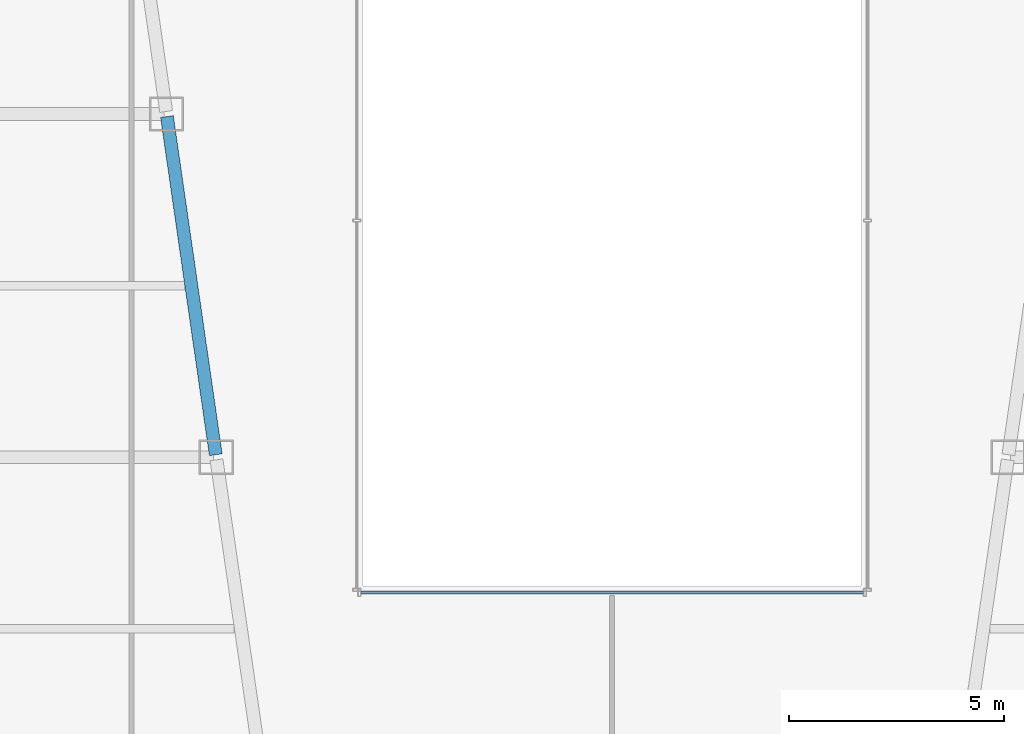
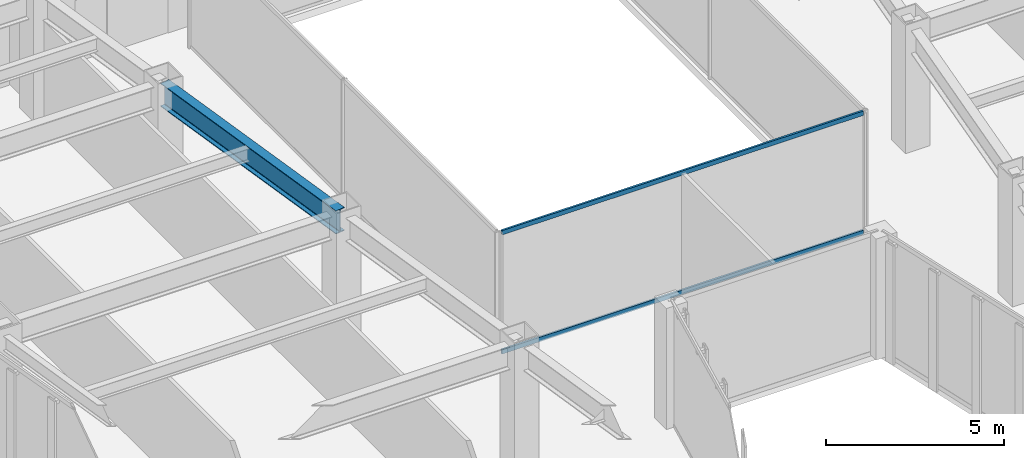
# One storey, part 13 of 47: 2 members, 1 beam, 1 element without a shape of its own.
"""IFC4 building model written with IfcOpenShell, lengths in metres."""

from ifc_helpers import new_model, si_unit, direction, frame, origin, origin_2d, place, context, subcontext, project, spatial, hollow_rectangle, i_section, extrude, material, material_profile, profile_set, type_object, element, aggregate, save


model = new_model("IFC4")

# Units and contexts
model_context = context("Model", 3, precision=1e-05, world=origin(), true_north=direction((0.0, 1.0)))
body_context = subcontext(model_context, "Body", "Model", "MODEL_VIEW")
ifc_project = project(units=[si_unit("LENGTHUNIT", "METRE"), si_unit("AREAUNIT", "SQUARE_METRE"), si_unit("VOLUMEUNIT", "CUBIC_METRE"), si_unit("PLANEANGLEUNIT", "RADIAN"), si_unit("MASSUNIT", "GRAM", prefix="KILO")], contexts=[model_context])

# Site, building, storey
site_placement = place(None, origin())
site = spatial("IfcSite", under=ifc_project, at=site_placement, CompositionType="ELEMENT")
building_placement = place(site_placement, origin())
building = spatial("IfcBuilding", under=site, at=building_placement, Name="Saevonmaru Cultural Tower", CompositionType="ELEMENT")
storey_placement = place(building_placement, frame((0.0, 0.0, 47.199951171875)))
storey = spatial("IfcBuildingStorey", under=building, at=storey_placement, Name="L09", CompositionType="ELEMENT", Elevation=47.199951171875)

# Beam
ifc_material_1 = material(Name="Steel SM420", Category="steel")
ifc_material_profile_1 = material_profile(ifc_material_1, i_section(OverallWidth=0.300048828125, OverallDepth=0.800048828125, WebThickness=0.013916015625, FlangeThickness=0.02587890625, FilletRadius=0.028076171875, at=origin_2d()), Name="H-800x300x14x26")
ifc_profile_set_1 = profile_set([ifc_material_profile_1], Name="Steel SM420")
beam_type = type_object("IfcBeamType", Name="BM-G-H800", PredefinedType="BEAM", material=ifc_profile_set_1)
beam_placement = place(storey_placement, frame((20.763427734375, 24.059326171875, 3.75), z_axis=(-0.142902032203, 0.989736838353, 0.0), x_axis=(-0.989736838353, -0.142902032203, 0.0)))
element("IfcBeam", 1, at=beam_placement, inside=storey, type_object=beam_type, Name="L09 West Atrium Girder 4", PredefinedType="BEAM", context=body_context, shape_type="SweptSolid", body=[
    extrude(i_section(OverallWidth=0.300048828125, OverallDepth=0.800048828125, WebThickness=0.013916015625, FlangeThickness=0.02587890625, FilletRadius=0.028076171875, at=origin_2d()), origin(), (0.0, 0.0, 1.0), 7.963134765625),
])

# Curtain wall, members
ifc_material_2 = material(Name="Satin Bronze Anodised Aluminium", Category="aluminium")
curtain_wall_type = type_object("IfcCurtainWallType", Name="CW-ATR-GLZ", PredefinedType="NOTDEFINED", material=ifc_material_2)
curtain_wall_placement = place(storey_placement, origin())
curtain_wall = element("IfcCurtainWall", 2, at=curtain_wall_placement, inside=storey, type_object=curtain_wall_type, Name="L09 Vertical Atrium Glazed Smoke Screen 1", PredefinedType="NOTDEFINED")
ifc_material_profile_2 = material_profile(ifc_material_2, hollow_rectangle(XDim=0.06494140625, YDim=0.14990234375, WallThickness=0.00390625, at=origin_2d()), Name="ALU-TRAN-150x65x4")
ifc_profile_set_2 = profile_set([ifc_material_profile_2], Name="Satin Bronze Anodised Aluminium")
member_type = type_object("IfcMemberType", Name="TR-CW-INT-150x65", PredefinedType="USERDEFINED", material=ifc_profile_set_2)
member_1_placement = place(storey_placement, frame((24.142578125, 20.85009765625, 0.032470703125), z_axis=(1.0, 0.0, 0.0), x_axis=(0.0, 1.0, 0.0)))
member_1 = element("IfcMember", 3, at=member_1_placement, type_object=member_type, Name="CW-ATR-L09-1 transom 1.1", ObjectType="TRANSOM", PredefinedType="USERDEFINED", context=body_context, shape_type="SweptSolid", body=[
    extrude(hollow_rectangle(XDim=0.06494140625, YDim=0.14990234375, WallThickness=0.00390625, at=origin_2d()), origin(), (0.0, 0.0, 1.0), 11.71484375),
])
member_2_placement = place(storey_placement, frame((24.142578125, 20.85009765625, 4.117431640625), z_axis=(1.0, 0.0, 0.0), x_axis=(0.0, 1.0, 0.0)))
member_2 = element("IfcMember", 4, at=member_2_placement, type_object=member_type, Name="CW-ATR-L09-1 transom 1.2", ObjectType="TRANSOM", PredefinedType="USERDEFINED", context=body_context, shape_type="SweptSolid", body=[
    extrude(hollow_rectangle(XDim=0.06494140625, YDim=0.14990234375, WallThickness=0.00390625, at=origin_2d()), origin(), (0.0, 0.0, 1.0), 11.71484375),
])
aggregate(curtain_wall, [member_1, member_2])

save(model, "model.ifc")
